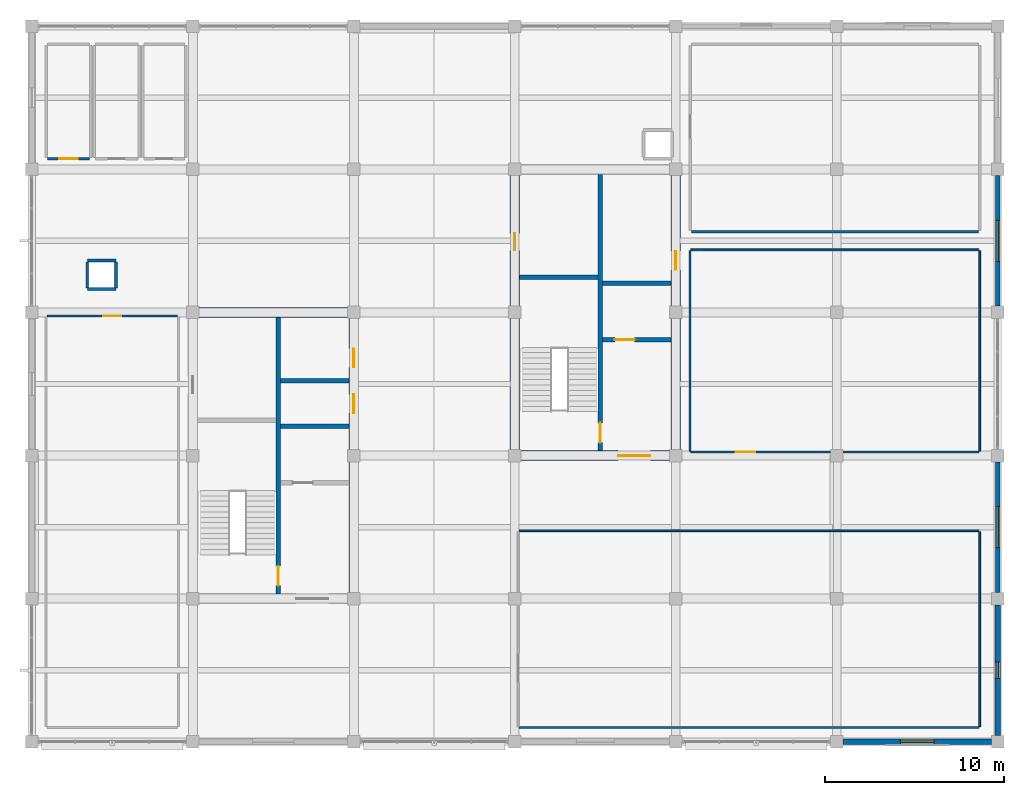
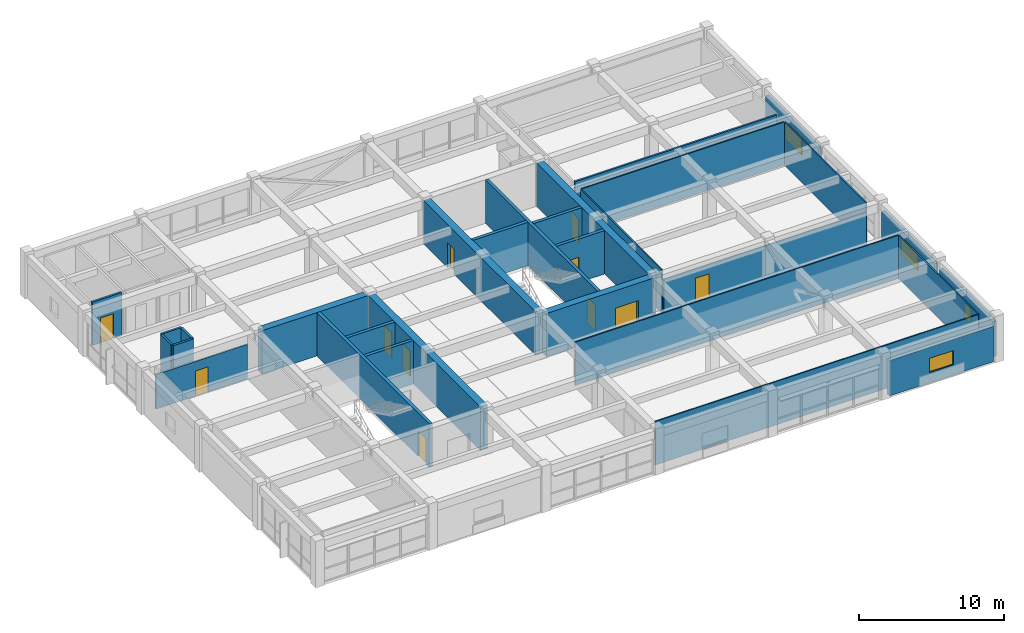
# One storey, part 11 of 13: 30 walls, 11 doors, 4 windows, 15 openings.
"""IFC4 building model written with IfcOpenShell, lengths in metres."""

from ifc_helpers import new_model, si_unit, direction, frame, frame_2d, origin, place, context, subcontext, project, spatial, rectangle, extrude, material, layer, layer_set, type_object, element, fill, save


model = new_model("IFC4")

# Units and contexts
model_context = context("Model", 3, precision=1e-05, world=origin(), true_north=direction((0.0, 1.0)))
body_context = subcontext(model_context, "Body", "Model", "MODEL_VIEW")
ifc_project = project(units=[si_unit("LENGTHUNIT", "METRE"), si_unit("AREAUNIT", "SQUARE_METRE"), si_unit("VOLUMEUNIT", "CUBIC_METRE"), si_unit("PLANEANGLEUNIT", "RADIAN"), si_unit("MASSUNIT", "GRAM", prefix="KILO")], contexts=[model_context])

# Site, building, storey
site_placement = place(None, origin())
site = spatial("IfcSite", under=ifc_project, at=site_placement, CompositionType="ELEMENT")
building_placement = place(site_placement, origin())
building = spatial("IfcBuilding", under=site, at=building_placement, Name="Zaverband Oceanarium and Marine Research Institute", CompositionType="ELEMENT")
storey_placement = place(building_placement, frame((0.0, 0.0, 60.89990234375)))
storey = spatial("IfcBuildingStorey", under=building, at=storey_placement, Name="L15", CompositionType="ELEMENT", Elevation=60.89990234375)

# Wall
ifc_material_1 = material(Name="Concrete C50/60", Category="concrete")
ifc_layer_1 = layer(ifc_material_1, 0.550048828125, Name="Concrete C50/60")
ifc_layer_set_1 = layer_set([ifc_layer_1], Name="Concrete C50/60")
wall_type_1 = type_object("IfcWallType", Name="CW-01", PredefinedType="SHEAR", material=ifc_layer_set_1)
wall_1_placement = place(storey_placement, frame((18.27490234375, 96.0, 0.0), z_axis=(0.0, 0.0, 1.0), x_axis=(1.0, 0.0, 0.0)))
element("IfcWall", 1, at=wall_1_placement, inside=storey, type_object=wall_type_1, Name="Structural shear wall CW-01", PredefinedType="SHEAR", context=body_context, shape_type="SweptSolid", body=[
    extrude(rectangle(XDim=8.4501953125, YDim=0.550048828125, at=frame_2d((4.22509765625, 0.0))), origin(), (0.0, 0.0, 1.0), 3.650146484375),
])

# Wall, openings, doors
wall_2_placement = place(storey_placement, frame((27.0, 80.27490234375, 0.0), z_axis=(0.0, 0.0, 1.0), x_axis=(0.0, 1.0, 0.0)))
wall_2 = element("IfcWall", 2, at=wall_2_placement, inside=storey, type_object=wall_type_1, Name="Structural shear wall CW-01", PredefinedType="SHEAR", context=body_context, shape_type="SweptSolid", body=[
    extrude(rectangle(XDim=15.4501953125, YDim=0.550048828125, at=frame_2d((7.72509765625, 0.0))), origin(), (0.0, 0.0, 1.0), 3.650146484375),
])
opening_1_placement = place(wall_2_placement, frame((10.10009765625, 0.0, 0.0)))
opening_1 = element("IfcOpeningElement", 3, at=opening_1_placement, cuts=wall_2, Name="Opening LD-02", PredefinedType="OPENING", context=body_context, shape_type="SweptSolid", body=[
    extrude(rectangle(XDim=1.050048828125, YDim=2.1201171875, at=frame_2d((0.52490234375, 1.06005859375))), frame((0.0, 0.287109375, 0.0), z_axis=(0.0, -1.0, 0.0), x_axis=(1.0, 0.0, 0.0)), (0.0, 0.0, 1.0), 0.573974609375),
])
opening_2_placement = place(wall_2_placement, frame((12.64990234375, 0.0, 0.0)))
opening_2 = element("IfcOpeningElement", 4, at=opening_2_placement, cuts=wall_2, Name="Opening LD-02", PredefinedType="OPENING", context=body_context, shape_type="SweptSolid", body=[
    extrude(rectangle(XDim=1.050048828125, YDim=2.1201171875, at=frame_2d((0.52490234375, 1.06005859375))), frame((0.0, 0.287109375, 0.0), z_axis=(0.0, -1.0, 0.0), x_axis=(1.0, 0.0, 0.0)), (0.0, 0.0, 1.0), 0.573974609375),
])
ifc_material_2 = material(Name="Steel S355", Category="steel")
door_type_1 = type_object("IfcDoorType", Name="LD-02", OperationType="DOUBLE_DOOR_SLIDING", PredefinedType="DOOR", material=ifc_material_2)
door_1_placement = place(opening_1_placement, origin())
door_1 = element("IfcDoor", 5, at=door_1_placement, inside=storey, type_object=door_type_1, Name="Passenger lift sliding landing door LD-02", OperationType="DOUBLE_DOOR_SLIDING", OverallHeight=2.1201171875, OverallWidth=1.050048828125, PredefinedType="DOOR", context=body_context, shape_type="SweptSolid", body=[
    extrude(rectangle(XDim=1.050048828125, YDim=2.1201171875, at=frame_2d((0.52490234375, 1.06005859375))), frame((0.0, 0.02490234375, 0.0), z_axis=(0.0, -1.0, 0.0), x_axis=(1.0, 0.0, 0.0)), (0.0, 0.0, 1.0), 0.050048828125),
])
fill(opening_1, door_1)
door_2_placement = place(opening_2_placement, origin())
door_2 = element("IfcDoor", 6, at=door_2_placement, inside=storey, type_object=door_type_1, Name="Passenger lift sliding landing door LD-02", OperationType="DOUBLE_DOOR_SLIDING", OverallHeight=2.1201171875, OverallWidth=1.050048828125, PredefinedType="DOOR", context=body_context, shape_type="SweptSolid", body=[
    extrude(rectangle(XDim=1.050048828125, YDim=2.1201171875, at=frame_2d((0.52490234375, 1.06005859375))), frame((0.0, 0.02490234375, 0.0), z_axis=(0.0, -1.0, 0.0), x_axis=(1.0, 0.0, 0.0)), (0.0, 0.0, 1.0), 0.050048828125),
])
fill(opening_2, door_2)

# Wall, opening, door
wall_3_placement = place(storey_placement, frame((36.27490234375, 88.0, 0.0), z_axis=(0.0, 0.0, 1.0), x_axis=(1.0, 0.0, 0.0)))
wall_3 = element("IfcWall", 7, at=wall_3_placement, inside=storey, type_object=wall_type_1, Name="Structural shear wall CW-01", PredefinedType="SHEAR", context=body_context, shape_type="SweptSolid", body=[
    extrude(rectangle(XDim=8.4501953125, YDim=0.550048828125, at=frame_2d((4.22509765625, 0.0))), origin(), (0.0, 0.0, 1.0), 3.650146484375),
])
opening_3_placement = place(wall_3_placement, frame((5.5, 0.0, 0.0)))
opening_3 = element("IfcOpeningElement", 8, at=opening_3_placement, cuts=wall_3, Name="Opening FD-02", PredefinedType="OPENING", context=body_context, shape_type="SweptSolid", body=[
    extrude(rectangle(XDim=1.800048828125, YDim=2.179931640625, at=frame_2d((0.89990234375, 1.08984375))), frame((0.0, 0.287109375, 0.0), z_axis=(0.0, -1.0, 0.0), x_axis=(1.0, 0.0, 0.0)), (0.0, 0.0, 1.0), 0.573974609375),
])
door_type_2 = type_object("IfcDoorType", Name="FD-02", OperationType="DOUBLE_DOOR_SINGLE_SWING", PredefinedType="DOOR", material=ifc_material_2)
door_3_placement = place(opening_3_placement, origin())
door_3 = element("IfcDoor", 9, at=door_3_placement, inside=storey, type_object=door_type_2, Name="Protected lobby double fire door FD-02", OperationType="DOUBLE_DOOR_SINGLE_SWING", OverallHeight=2.179931640625, OverallWidth=1.800048828125, PredefinedType="DOOR", context=body_context, shape_type="SweptSolid", body=[
    extrude(rectangle(XDim=1.800048828125, YDim=2.179931640625, at=frame_2d((0.89990234375, 1.08984375))), frame((0.0, 0.02490234375, 0.0), z_axis=(0.0, -1.0, 0.0), x_axis=(1.0, 0.0, 0.0)), (0.0, 0.0, 1.0), 0.050048828125),
])
fill(opening_3, door_3)

wall_4_placement = place(storey_placement, frame((36.0, 88.27490234375, 0.0), z_axis=(0.0, 0.0, 1.0), x_axis=(0.0, 1.0, 0.0)))
wall_4 = element("IfcWall", 10, at=wall_4_placement, inside=storey, type_object=wall_type_1, Name="Structural shear wall CW-01", PredefinedType="SHEAR", context=body_context, shape_type="SweptSolid", body=[
    extrude(rectangle(XDim=15.4501953125, YDim=0.550048828125, at=frame_2d((7.72509765625, 0.0))), origin(), (0.0, 0.0, 1.0), 3.650146484375),
])
opening_4_placement = place(wall_4_placement, frame((11.199951171875, 0.0, 0.0)))
opening_4 = element("IfcOpeningElement", 11, at=opening_4_placement, cuts=wall_4, Name="Opening FD-03", PredefinedType="OPENING", context=body_context, shape_type="SweptSolid", body=[
    extrude(rectangle(XDim=0.949951171875, YDim=2.10009765625, at=frame_2d((0.47509765625, 1.050048828125))), frame((0.0, 0.287109375, 0.0), z_axis=(0.0, -1.0, 0.0), x_axis=(1.0, 0.0, 0.0)), (0.0, 0.0, 1.0), 0.573974609375),
])
door_type_3 = type_object("IfcDoorType", Name="FD-03", OperationType="NOTDEFINED", PredefinedType="DOOR", material=ifc_material_2)
door_4_placement = place(opening_4_placement, origin())
door_4 = element("IfcDoor", 12, at=door_4_placement, inside=storey, type_object=door_type_3, Name="Service riser access fire door FD-03", OperationType="SINGLE_SWING_RIGHT", OverallHeight=2.10009765625, OverallWidth=0.949951171875, PredefinedType="DOOR", context=body_context, shape_type="SweptSolid", body=[
    extrude(rectangle(XDim=0.949951171875, YDim=2.10009765625, at=frame_2d((0.47509765625, 1.050048828125))), frame((0.0, 0.02490234375, 0.0), z_axis=(0.0, -1.0, 0.0), x_axis=(1.0, 0.0, 0.0)), (0.0, 0.0, 1.0), 0.050048828125),
])
fill(opening_4, door_4)

wall_5_placement = place(storey_placement, frame((45.0, 88.27490234375, 0.0), z_axis=(0.0, 0.0, 1.0), x_axis=(0.0, 1.0, 0.0)))
wall_5 = element("IfcWall", 13, at=wall_5_placement, inside=storey, type_object=wall_type_1, Name="Structural shear wall CW-01", PredefinedType="SHEAR", context=body_context, shape_type="SweptSolid", body=[
    extrude(rectangle(XDim=15.4501953125, YDim=0.550048828125, at=frame_2d((7.72509765625, 0.0))), origin(), (0.0, 0.0, 1.0), 3.650146484375),
])
opening_5_placement = place(wall_5_placement, frame((10.10009765625, 0.0, 0.0)))
opening_5 = element("IfcOpeningElement", 14, at=opening_5_placement, cuts=wall_5, Name="Opening LD-02", PredefinedType="OPENING", context=body_context, shape_type="SweptSolid", body=[
    extrude(rectangle(XDim=1.050048828125, YDim=2.1201171875, at=frame_2d((0.52490234375, 1.06005859375))), frame((0.0, 0.287109375, 0.0), z_axis=(0.0, -1.0, 0.0), x_axis=(1.0, 0.0, 0.0)), (0.0, 0.0, 1.0), 0.573974609375),
])
door_5_placement = place(opening_5_placement, origin())
door_5 = element("IfcDoor", 15, at=door_5_placement, inside=storey, type_object=door_type_1, Name="Passenger lift sliding landing door LD-02", OperationType="DOUBLE_DOOR_SLIDING", OverallHeight=2.1201171875, OverallWidth=1.050048828125, PredefinedType="DOOR", context=body_context, shape_type="SweptSolid", body=[
    extrude(rectangle(XDim=1.050048828125, YDim=2.1201171875, at=frame_2d((0.52490234375, 1.06005859375))), frame((0.0, 0.02490234375, 0.0), z_axis=(0.0, -1.0, 0.0), x_axis=(1.0, 0.0, 0.0)), (0.0, 0.0, 1.0), 0.050048828125),
])
fill(opening_5, door_5)

# Wall, opening, window
ifc_material_3 = material(Name="Concrete C40/50 precast", Category="concrete")
ifc_layer_2 = layer(ifc_material_3, 0.264892578125, Name="Concrete C40/50 precast")
ifc_layer_set_2 = layer_set([ifc_layer_2], Name="Concrete C40/50 precast")
wall_type_2 = type_object("IfcWallType", Name="EW-265", PredefinedType="STANDARD", material=ifc_layer_set_2)
wall_6_placement = place(storey_placement, frame((63.0, 80.35498046875, 0.0), z_axis=(0.0, 0.0, 1.0), x_axis=(0.0, 1.0, 0.0)))
wall_6 = element("IfcWall", 16, at=wall_6_placement, inside=storey, type_object=wall_type_2, Name="Exterior infill wall EW-265", PredefinedType="STANDARD", context=body_context, shape_type="SweptSolid", body=[
    extrude(rectangle(XDim=7.2900390625, YDim=0.264892578125, at=frame_2d((3.64501953125, 0.0))), origin(), (0.0, 0.0, 1.0), 2.97998046875),
])
opening_6_placement = place(wall_6_placement, frame((2.4951171875, 0.0, 0.85009765625)))
opening_6 = element("IfcOpeningElement", 17, at=opening_6_placement, cuts=wall_6, Name="Opening WN-2300x1350", PredefinedType="OPENING", context=body_context, shape_type="SweptSolid", body=[
    extrude(rectangle(XDim=2.300048828125, YDim=1.35009765625, at=frame_2d((1.14990234375, 0.675048828125))), frame((0.0, 0.14453125, 0.0), z_axis=(0.0, -1.0, 0.0), x_axis=(1.0, 0.0, 0.0)), (0.0, 0.0, 1.0), 0.288818359375),
])
ifc_material_4 = material(Name="Thermally broken anodized aluminium and solar-control glass", Category="aluminium")
window_type_1 = type_object("IfcWindowType", Name="WN-2300x1350", PartitioningType="SINGLE_PANEL", PredefinedType="WINDOW", material=ifc_material_4)
window_1_placement = place(opening_6_placement, origin())
window_1 = element("IfcWindow", 18, at=window_1_placement, inside=storey, type_object=window_type_1, Name="Fixed / casement exterior window WN-2300x1350", OverallHeight=1.35009765625, OverallWidth=2.300048828125, PartitioningType="SINGLE_PANEL", PredefinedType="WINDOW", context=body_context, shape_type="SweptSolid", body=[
    extrude(rectangle(XDim=2.300048828125, YDim=1.35009765625, at=frame_2d((1.14990234375, 0.675048828125))), frame((0.0, 0.030029296875, 0.0), z_axis=(0.0, -1.0, 0.0), x_axis=(1.0, 0.0, 0.0)), (0.0, 0.0, 1.0), 0.06005859375),
])
fill(opening_6, window_1)

wall_7_placement = place(storey_placement, frame((63.0, 96.35498046875, 0.0), z_axis=(0.0, 0.0, 1.0), x_axis=(0.0, 1.0, 0.0)))
wall_7 = element("IfcWall", 19, at=wall_7_placement, inside=storey, type_object=wall_type_2, Name="Exterior infill wall EW-265", PredefinedType="STANDARD", context=body_context, shape_type="SweptSolid", body=[
    extrude(rectangle(XDim=7.2900390625, YDim=0.264892578125, at=frame_2d((3.64501953125, 0.0))), origin(), (0.0, 0.0, 1.0), 2.97998046875),
])
opening_7_placement = place(wall_7_placement, frame((2.4951171875, 0.0, 0.85009765625)))
opening_7 = element("IfcOpeningElement", 20, at=opening_7_placement, cuts=wall_7, Name="Opening WN-2300x1350", PredefinedType="OPENING", context=body_context, shape_type="SweptSolid", body=[
    extrude(rectangle(XDim=2.300048828125, YDim=1.35009765625, at=frame_2d((1.14990234375, 0.675048828125))), frame((0.0, 0.14453125, 0.0), z_axis=(0.0, -1.0, 0.0), x_axis=(1.0, 0.0, 0.0)), (0.0, 0.0, 1.0), 0.288818359375),
])
window_2_placement = place(opening_7_placement, origin())
window_2 = element("IfcWindow", 21, at=window_2_placement, inside=storey, type_object=window_type_1, Name="Fixed / casement exterior window WN-2300x1350", OverallHeight=1.35009765625, OverallWidth=2.300048828125, PartitioningType="SINGLE_PANEL", PredefinedType="WINDOW", context=body_context, shape_type="SweptSolid", body=[
    extrude(rectangle(XDim=2.300048828125, YDim=1.35009765625, at=frame_2d((1.14990234375, 0.675048828125))), frame((0.0, 0.030029296875, 0.0), z_axis=(0.0, -1.0, 0.0), x_axis=(1.0, 0.0, 0.0)), (0.0, 0.0, 1.0), 0.06005859375),
])
fill(opening_7, window_2)

ifc_layer_3 = layer(ifc_material_3, 0.2900390625, Name="Concrete C40/50 precast")
ifc_layer_set_3 = layer_set([ifc_layer_3], Name="Concrete C40/50 precast")
wall_type_3 = type_object("IfcWallType", Name="EW-290", PredefinedType="STANDARD", material=ifc_layer_set_3)
wall_8_placement = place(storey_placement, frame((54.35498046875, 72.0, 0.0), z_axis=(0.0, 0.0, 1.0), x_axis=(1.0, 0.0, 0.0)))
wall_8 = element("IfcWall", 22, at=wall_8_placement, inside=storey, type_object=wall_type_3, Name="Exterior infill wall EW-290", PredefinedType="STANDARD", context=body_context, shape_type="SweptSolid", body=[
    extrude(rectangle(XDim=8.2900390625, YDim=0.2900390625, at=frame_2d((4.14501953125, 0.0))), origin(), (0.0, 0.0, 1.0), 2.97998046875),
])
opening_8_placement = place(wall_8_placement, frame((3.195068359375, 0.0, 0.85009765625)))
opening_8 = element("IfcOpeningElement", 23, at=opening_8_placement, cuts=wall_8, Name="Opening WN-1900x1200", PredefinedType="OPENING", context=body_context, shape_type="SweptSolid", body=[
    extrude(rectangle(XDim=1.89990234375, YDim=1.199951171875, at=frame_2d((0.949951171875, 0.60009765625))), frame((0.0, 0.156982421875, 0.0), z_axis=(0.0, -1.0, 0.0), x_axis=(1.0, 0.0, 0.0)), (0.0, 0.0, 1.0), 0.31396484375),
])
window_type_2 = type_object("IfcWindowType", Name="WN-1900x1200", PartitioningType="SINGLE_PANEL", PredefinedType="WINDOW", material=ifc_material_4)
window_3_placement = place(opening_8_placement, origin())
window_3 = element("IfcWindow", 24, at=window_3_placement, inside=storey, type_object=window_type_2, Name="Fixed / casement exterior window WN-1900x1200", OverallHeight=1.199951171875, OverallWidth=1.89990234375, PartitioningType="SINGLE_PANEL", PredefinedType="WINDOW", context=body_context, shape_type="SweptSolid", body=[
    extrude(rectangle(XDim=1.89990234375, YDim=1.199951171875, at=frame_2d((0.949951171875, 0.60009765625))), frame((0.0, 0.030029296875, 0.0), z_axis=(0.0, -1.0, 0.0), x_axis=(1.0, 0.0, 0.0)), (0.0, 0.0, 1.0), 0.06005859375),
])
fill(opening_8, window_3)

wall_9_placement = place(storey_placement, frame((63.0, 72.35498046875, 0.0), z_axis=(0.0, 0.0, 1.0), x_axis=(0.0, 1.0, 0.0)))
wall_9 = element("IfcWall", 25, at=wall_9_placement, inside=storey, type_object=wall_type_3, Name="Exterior infill wall EW-290", PredefinedType="STANDARD", context=body_context, shape_type="SweptSolid", body=[
    extrude(rectangle(XDim=7.2900390625, YDim=0.2900390625, at=frame_2d((3.64501953125, 0.0))), origin(), (0.0, 0.0, 1.0), 2.97998046875),
])
opening_9_placement = place(wall_9_placement, frame((3.195068359375, 0.0, 0.85009765625)))
opening_9 = element("IfcOpeningElement", 26, at=opening_9_placement, cuts=wall_9, Name="Opening WN-900x1200", PredefinedType="OPENING", context=body_context, shape_type="SweptSolid", body=[
    extrude(rectangle(XDim=0.89990234375, YDim=1.199951171875, at=frame_2d((0.449951171875, 0.60009765625))), frame((0.0, 0.156982421875, 0.0), z_axis=(0.0, -1.0, 0.0), x_axis=(1.0, 0.0, 0.0)), (0.0, 0.0, 1.0), 0.31396484375),
])
window_type_3 = type_object("IfcWindowType", Name="WN-900x1200", PartitioningType="SINGLE_PANEL", PredefinedType="WINDOW", material=ifc_material_4)
window_4_placement = place(opening_9_placement, origin())
window_4 = element("IfcWindow", 27, at=window_4_placement, inside=storey, type_object=window_type_3, Name="Fixed / casement exterior window WN-900x1200", OverallHeight=1.199951171875, OverallWidth=0.89990234375, PartitioningType="SINGLE_PANEL", PredefinedType="WINDOW", context=body_context, shape_type="SweptSolid", body=[
    extrude(rectangle(XDim=0.89990234375, YDim=1.199951171875, at=frame_2d((0.449951171875, 0.60009765625))), frame((0.0, 0.030029296875, 0.0), z_axis=(0.0, -1.0, 0.0), x_axis=(1.0, 0.0, 0.0)), (0.0, 0.0, 1.0), 0.06005859375),
])
fill(opening_9, window_4)

# Walls
ifc_material_5 = material(Name="Framed fire-rated glass laboratory partition", Category="glass")
ifc_layer_4 = layer(ifc_material_5, 0.10009765625, Name="Framed fire-rated glass laboratory partition")
ifc_layer_set_4 = layer_set([ifc_layer_4], Name="Framed fire-rated glass laboratory partition")
wall_type_4 = type_object("IfcWallType", Name="PT-100-GL", PredefinedType="PARTITIONING", material=ifc_layer_set_4)
for number, where, z_axis, x_axis, name in (
    (28, (36.25, 72.800048828125, 0.0), (0.0, 0.0, 1.0), (1.0, 0.0, 0.0), "Internal partition PT-100-GL"),
    (29, (36.25, 83.800048828125, 0.0), (0.0, 0.0, 1.0), (1.0, 0.0, 0.0), "Internal partition PT-100-GL"),
):
    element("IfcWall", number, at=place(storey_placement, frame(where, z_axis=z_axis, x_axis=x_axis)), inside=storey, type_object=wall_type_4, Name=name, PredefinedType="PARTITIONING", context=body_context, shape_type="SweptSolid", body=[
        extrude(rectangle(XDim=25.699951171875, YDim=0.10009765625, at=frame_2d((12.85009765625, 0.0))), origin(), (0.0, 0.0, 1.0), 3.650146484375),
    ])
wall_10_placement = place(storey_placement, frame((62.0, 72.85009765625, 0.0), z_axis=(0.0, 0.0, 1.0), x_axis=(0.0, 1.0, 0.0)))
element("IfcWall", 30, at=wall_10_placement, inside=storey, type_object=wall_type_4, Name="Internal partition PT-100-GL", PredefinedType="PARTITIONING", context=body_context, shape_type="SweptSolid", body=[
    extrude(rectangle(XDim=10.89990234375, YDim=0.10009765625, at=frame_2d((5.449951171875, 0.0))), origin(), (0.0, 0.0, 1.0), 3.650146484375),
])

# Wall, opening, door
wall_11_placement = place(storey_placement, frame((45.85009765625, 88.199951171875, 0.0), z_axis=(0.0, 0.0, 1.0), x_axis=(1.0, 0.0, 0.0)))
wall_11 = element("IfcWall", 31, at=wall_11_placement, inside=storey, type_object=wall_type_4, Name="Internal partition PT-100-GL", PredefinedType="PARTITIONING", context=body_context, shape_type="SweptSolid", body=[
    extrude(rectangle(XDim=16.099853515625, YDim=0.10009765625, at=frame_2d((8.0498046875, 0.0))), origin(), (0.0, 0.0, 1.0), 2.900146484375),
])
opening_10_placement = place(wall_11_placement, frame((2.5, 0.0, 0.0)))
opening_10 = element("IfcOpeningElement", 32, at=opening_10_placement, cuts=wall_11, Name="Opening ID-1100x2120", PredefinedType="OPENING", context=body_context, shape_type="SweptSolid", body=[
    extrude(rectangle(XDim=1.10009765625, YDim=2.1201171875, at=frame_2d((0.550048828125, 1.06005859375))), frame((0.0, 0.06201171875, 0.0), z_axis=(0.0, -1.0, 0.0), x_axis=(1.0, 0.0, 0.0)), (0.0, 0.0, 1.0), 0.1240234375),
])
ifc_material_6 = material(Name="Hardwood-veneered acoustic timber", Category="wood")
door_type_4 = type_object("IfcDoorType", Name="ID-1100x2120", OperationType="NOTDEFINED", PredefinedType="DOOR", material=ifc_material_6)
door_6_placement = place(opening_10_placement, origin())
door_6 = element("IfcDoor", 33, at=door_6_placement, inside=storey, type_object=door_type_4, Name="Telemetry laboratory door ID-1100x2120", OperationType="SINGLE_SWING_RIGHT", OverallHeight=2.1201171875, OverallWidth=1.10009765625, PredefinedType="DOOR", context=body_context, shape_type="SweptSolid", body=[
    extrude(rectangle(XDim=1.10009765625, YDim=2.1201171875, at=frame_2d((0.550048828125, 1.06005859375))), frame((0.0, 0.02490234375, 0.0), z_axis=(0.0, -1.0, 0.0), x_axis=(1.0, 0.0, 0.0)), (0.0, 0.0, 1.0), 0.050048828125),
])
fill(opening_10, door_6)

# Walls
wall_12_placement = place(storey_placement, frame((45.85009765625, 99.5, 0.0), z_axis=(0.0, 0.0, 1.0), x_axis=(1.0, 0.0, 0.0)))
element("IfcWall", 34, at=wall_12_placement, inside=storey, type_object=wall_type_4, Name="Internal partition PT-100-GL", PredefinedType="PARTITIONING", context=body_context, shape_type="SweptSolid", body=[
    extrude(rectangle(XDim=16.099853515625, YDim=0.10009765625, at=frame_2d((8.0498046875, 0.0))), origin(), (0.0, 0.0, 1.0), 3.650146484375),
])
for number, where, z_axis, x_axis, name in (
    (35, (45.800048828125, 88.25, 0.0), (0.0, 0.0, 1.0), (0.0, 1.0, 0.0), "Internal partition PT-100-GL"),
    (36, (62.0, 88.25, 0.0), (0.0, 0.0, 1.0), (0.0, 1.0, 0.0), "Internal partition PT-100-GL"),
):
    element("IfcWall", number, at=place(storey_placement, frame(where, z_axis=z_axis, x_axis=x_axis)), inside=storey, type_object=wall_type_4, Name=name, PredefinedType="PARTITIONING", context=body_context, shape_type="SweptSolid", body=[
        extrude(rectangle(XDim=11.199951171875, YDim=0.10009765625, at=frame_2d((5.60009765625, 0.0))), origin(), (0.0, 0.0, 1.0), 3.650146484375),
    ])

# Wall, opening, door
ifc_material_7 = material(Name="Insulated metal-stud office partition")
ifc_layer_5 = layer(ifc_material_7, 0.1201171875, Name="Insulated metal-stud office partition")
ifc_layer_set_5 = layer_set([ifc_layer_5], Name="Insulated metal-stud office partition")
wall_type_5 = type_object("IfcWallType", Name="PT-120-OF", PredefinedType="PARTITIONING", material=ifc_layer_set_5)
wall_13_placement = place(storey_placement, frame((9.860107421875, 95.800048828125, 0.0), z_axis=(0.0, 0.0, 1.0), x_axis=(1.0, 0.0, 0.0)))
wall_13 = element("IfcWall", 37, at=wall_13_placement, inside=storey, type_object=wall_type_5, Name="Internal partition PT-120-OF", PredefinedType="PARTITIONING", context=body_context, shape_type="SweptSolid", body=[
    extrude(rectangle(XDim=7.27978515625, YDim=0.1201171875, at=frame_2d((3.639892578125, 0.0))), origin(), (0.0, 0.0, 1.0), 2.900146484375),
])
opening_11_placement = place(wall_13_placement, frame((3.1298828125, 0.0, 0.0)))
opening_11 = element("IfcOpeningElement", 38, at=opening_11_placement, cuts=wall_13, Name="Opening ID-1020x2100", PredefinedType="OPENING", context=body_context, shape_type="SweptSolid", body=[
    extrude(rectangle(XDim=1.02001953125, YDim=2.10009765625, at=frame_2d((0.510009765625, 1.050048828125))), frame((0.0, 0.072021484375, 0.0), z_axis=(0.0, -1.0, 0.0), x_axis=(1.0, 0.0, 0.0)), (0.0, 0.0, 1.0), 0.14404296875),
])
door_type_5 = type_object("IfcDoorType", Name="ID-1020x2100", OperationType="NOTDEFINED", PredefinedType="DOOR", material=ifc_material_6)
door_7_placement = place(opening_11_placement, origin())
door_7 = element("IfcDoor", 39, at=door_7_placement, inside=storey, type_object=door_type_5, Name="Accessible WC outward-swing door ID-1020x2100", OperationType="SINGLE_SWING_RIGHT", OverallHeight=2.10009765625, OverallWidth=1.02001953125, PredefinedType="DOOR", context=body_context, shape_type="SweptSolid", body=[
    extrude(rectangle(XDim=1.02001953125, YDim=2.10009765625, at=frame_2d((0.510009765625, 1.050048828125))), frame((0.0, 0.02490234375, 0.0), z_axis=(0.0, -1.0, 0.0), x_axis=(1.0, 0.0, 0.0)), (0.0, 0.0, 1.0), 0.050048828125),
])
fill(opening_11, door_7)

# Wall
ifc_material_8 = material(Name="Acoustic classroom partition")
ifc_layer_6 = layer(ifc_material_8, 0.139892578125, Name="Acoustic classroom partition")
ifc_layer_set_6 = layer_set([ifc_layer_6], Name="Acoustic classroom partition")
wall_type_6 = type_object("IfcWallType", Name="PT-140-CL", PredefinedType="PARTITIONING", material=ifc_layer_set_6)
wall_14_placement = place(storey_placement, frame((45.8701171875, 100.5, 0.0), z_axis=(0.0, 0.0, 1.0), x_axis=(1.0, 0.0, 0.0)))
element("IfcWall", 40, at=wall_14_placement, inside=storey, type_object=wall_type_6, Name="Acoustic partition PT-140-CL", PredefinedType="PARTITIONING", context=body_context, shape_type="SweptSolid", body=[
    extrude(rectangle(XDim=16.059814453125, YDim=0.139892578125, at=frame_2d((8.02978515625, 0.0))), origin(), (0.0, 0.0, 1.0), 3.650146484375),
])

# Wall, opening, door
ifc_material_9 = material(Name="Ceramic-tiled wet-room blockwork", Category="masonry")
ifc_layer_7 = layer(ifc_material_9, 0.14990234375, Name="Ceramic-tiled wet-room blockwork")
ifc_layer_set_7 = layer_set([ifc_layer_7], Name="Ceramic-tiled wet-room blockwork")
wall_type_7 = type_object("IfcWallType", Name="PT-150-WC", PredefinedType="PARTITIONING", material=ifc_layer_set_7)
wall_15_placement = place(storey_placement, frame((9.875, 104.60009765625, 0.0), z_axis=(0.0, 0.0, 1.0), x_axis=(1.0, 0.0, 0.0)))
wall_15 = element("IfcWall", 41, at=wall_15_placement, inside=storey, type_object=wall_type_7, Name="Internal partition PT-150-WC", PredefinedType="PARTITIONING", context=body_context, shape_type="SweptSolid", body=[
    extrude(rectangle(XDim=2.35009765625, YDim=0.14990234375, at=frame_2d((1.175048828125, 0.0))), origin(), (0.0, 0.0, 1.0), 3.650146484375),
])
opening_12_placement = place(wall_15_placement, frame((0.6650390625, 0.0, 0.0)))
opening_12 = element("IfcOpeningElement", 42, at=opening_12_placement, cuts=wall_15, Name="Opening ID-1020x2100", PredefinedType="OPENING", context=body_context, shape_type="SweptSolid", body=[
    extrude(rectangle(XDim=1.02001953125, YDim=2.10009765625, at=frame_2d((0.510009765625, 1.050048828125))), frame((0.0, 0.0869140625, 0.0), z_axis=(0.0, -1.0, 0.0), x_axis=(1.0, 0.0, 0.0)), (0.0, 0.0, 1.0), 0.173828125),
])
door_8_placement = place(opening_12_placement, frame((1.02001953125, 0.0, 0.0), z_axis=(0.0, 0.0, 1.0), x_axis=(-1.0, 0.0, 0.0)))
door_8 = element("IfcDoor", 43, at=door_8_placement, inside=storey, type_object=door_type_5, Name="Accessible WC outward-swing door ID-1020x2100", OperationType="SINGLE_SWING_LEFT", OverallHeight=2.10009765625, OverallWidth=1.02001953125, PredefinedType="DOOR", context=body_context, shape_type="SweptSolid", body=[
    extrude(rectangle(XDim=1.02001953125, YDim=2.10009765625, at=frame_2d((0.510009765625, 1.050048828125))), frame((0.0, 0.02490234375, 0.0), z_axis=(0.0, -1.0, 0.0), x_axis=(1.0, 0.0, 0.0)), (0.0, 0.0, 1.0), 0.050048828125),
])
fill(opening_12, door_8)

# Walls
ifc_material_10 = material(Name="Corridor rated drywall partition")
ifc_layer_8 = layer(ifc_material_10, 0.1650390625, Name="Corridor rated drywall partition")
ifc_layer_set_8 = layer_set([ifc_layer_8], Name="Corridor rated drywall partition")
wall_type_8 = type_object("IfcWallType", Name="PT-165-CR", PredefinedType="PARTITIONING", material=ifc_layer_set_8)
for number, where, z_axis, x_axis, name in (
    (44, (12.10009765625, 97.300048828125, 0.0), (0.0, 0.0, 1.0), (1.0, 0.0, 0.0), "Internal partition PT-165-CR"),
    (45, (12.10009765625, 98.89990234375, 0.0), (0.0, 0.0, 1.0), (1.0, 0.0, 0.0), "Internal partition PT-165-CR"),
):
    element("IfcWall", number, at=place(storey_placement, frame(where, z_axis=z_axis, x_axis=x_axis)), inside=storey, type_object=wall_type_8, Name=name, PredefinedType="PARTITIONING", context=body_context, shape_type="SweptSolid", body=[
        extrude(rectangle(XDim=1.599853515625, YDim=0.1650390625, at=frame_2d((0.7998046875, 0.0))), origin(), (0.0, 0.0, 1.0), 3.650146484375),
    ])
for number, where, z_axis, x_axis, name in (
    (46, (12.10009765625, 97.3798828125, 0.0), (0.0, 0.0, 1.0), (0.0, 1.0, 0.0), "Internal partition PT-165-CR"),
    (47, (13.699951171875, 97.3798828125, 0.0), (0.0, 0.0, 1.0), (0.0, 1.0, 0.0), "Internal partition PT-165-CR"),
):
    element("IfcWall", number, at=place(storey_placement, frame(where, z_axis=z_axis, x_axis=x_axis)), inside=storey, type_object=wall_type_8, Name=name, PredefinedType="PARTITIONING", context=body_context, shape_type="SweptSolid", body=[
        extrude(rectangle(XDim=1.440185546875, YDim=0.1650390625, at=frame_2d((0.72021484375, 0.0))), origin(), (0.0, 0.0, 1.0), 3.650146484375),
    ])

# Wall, opening, door
ifc_layer_9 = layer(ifc_material_1, 0.25, Name="Concrete C50/60")
ifc_layer_set_9 = layer_set([ifc_layer_9], Name="Concrete C50/60")
wall_type_9 = type_object("IfcWallType", Name="PW-CORE-250", PredefinedType="SOLIDWALL", material=ifc_layer_set_9)
wall_16_placement = place(storey_placement, frame((22.77490234375, 80.27490234375, 0.0), z_axis=(0.0, 0.0, 1.0), x_axis=(0.0, 1.0, 0.0)))
wall_16 = element("IfcWall", 48, at=wall_16_placement, inside=storey, type_object=wall_type_9, Name="Structural concrete wall PW-CORE-250", PredefinedType="SOLIDWALL", context=body_context, shape_type="SweptSolid", body=[
    extrude(rectangle(XDim=15.4501953125, YDim=0.25, at=frame_2d((7.72509765625, 0.0))), origin(), (0.0, 0.0, 1.0), 3.650146484375),
])
opening_13_placement = place(wall_16_placement, frame((0.449951171875, 0.0, 0.0)))
opening_13 = element("IfcOpeningElement", 49, at=opening_13_placement, cuts=wall_16, Name="Opening FD-01", PredefinedType="OPENING", context=body_context, shape_type="SweptSolid", body=[
    extrude(rectangle(XDim=1.10009765625, YDim=2.14990234375, at=frame_2d((0.550048828125, 1.074951171875))), frame((0.0, 0.136962890625, 0.0), z_axis=(0.0, -1.0, 0.0), x_axis=(1.0, 0.0, 0.0)), (0.0, 0.0, 1.0), 0.27392578125),
])
door_type_6 = type_object("IfcDoorType", Name="FD-01", OperationType="NOTDEFINED", PredefinedType="DOOR", material=ifc_material_2)
door_9_placement = place(opening_13_placement, origin())
door_9 = element("IfcDoor", 50, at=door_9_placement, inside=storey, type_object=door_type_6, Name="Core stair / lobby fire door FD-01", OperationType="SINGLE_SWING_RIGHT", OverallHeight=2.14990234375, OverallWidth=1.10009765625, PredefinedType="DOOR", context=body_context, shape_type="SweptSolid", body=[
    extrude(rectangle(XDim=1.10009765625, YDim=2.14990234375, at=frame_2d((0.550048828125, 1.074951171875))), frame((0.0, 0.02490234375, 0.0), z_axis=(0.0, -1.0, 0.0), x_axis=(1.0, 0.0, 0.0)), (0.0, 0.0, 1.0), 0.050048828125),
])
fill(opening_13, door_9)

# Walls
for number, where, z_axis, x_axis, name in (
    (51, (22.905029296875, 89.6298828125, 0.0), (0.0, 0.0, 1.0), (1.0, 0.0, 0.0), "Structural concrete wall PW-CORE-250"),
    (52, (22.905029296875, 92.179931640625, 0.0), (0.0, 0.0, 1.0), (1.0, 0.0, 0.0), "Structural concrete wall PW-CORE-250"),
):
    element("IfcWall", number, at=place(storey_placement, frame(where, z_axis=z_axis, x_axis=x_axis)), inside=storey, type_object=wall_type_9, Name=name, PredefinedType="SOLIDWALL", context=body_context, shape_type="SweptSolid", body=[
        extrude(rectangle(XDim=3.820068359375, YDim=0.25, at=frame_2d((1.91015625, 0.0))), origin(), (0.0, 0.0, 1.0), 3.650146484375),
    ])

# Wall, opening, door
wall_17_placement = place(storey_placement, frame((40.77490234375, 88.27490234375, 0.0), z_axis=(0.0, 0.0, 1.0), x_axis=(0.0, 1.0, 0.0)))
wall_17 = element("IfcWall", 53, at=wall_17_placement, inside=storey, type_object=wall_type_9, Name="Structural concrete wall PW-CORE-250", PredefinedType="SOLIDWALL", context=body_context, shape_type="SweptSolid", body=[
    extrude(rectangle(XDim=15.4501953125, YDim=0.25, at=frame_2d((7.72509765625, 0.0))), origin(), (0.0, 0.0, 1.0), 3.650146484375),
])
opening_14_placement = place(wall_17_placement, frame((0.449951171875, 0.0, 0.0)))
opening_14 = element("IfcOpeningElement", 54, at=opening_14_placement, cuts=wall_17, Name="Opening FD-01", PredefinedType="OPENING", context=body_context, shape_type="SweptSolid", body=[
    extrude(rectangle(XDim=1.10009765625, YDim=2.14990234375, at=frame_2d((0.550048828125, 1.074951171875))), frame((0.0, 0.136962890625, 0.0), z_axis=(0.0, -1.0, 0.0), x_axis=(1.0, 0.0, 0.0)), (0.0, 0.0, 1.0), 0.27392578125),
])
door_10_placement = place(opening_14_placement, origin())
door_10 = element("IfcDoor", 55, at=door_10_placement, inside=storey, type_object=door_type_6, Name="Core stair / lobby fire door FD-01", OperationType="SINGLE_SWING_RIGHT", OverallHeight=2.14990234375, OverallWidth=1.10009765625, PredefinedType="DOOR", context=body_context, shape_type="SweptSolid", body=[
    extrude(rectangle(XDim=1.10009765625, YDim=2.14990234375, at=frame_2d((0.550048828125, 1.074951171875))), frame((0.0, 0.02490234375, 0.0), z_axis=(0.0, -1.0, 0.0), x_axis=(1.0, 0.0, 0.0)), (0.0, 0.0, 1.0), 0.050048828125),
])
fill(opening_14, door_10)

# Wall
wall_18_placement = place(storey_placement, frame((36.27490234375, 97.97509765625, 0.0), z_axis=(0.0, 0.0, 1.0), x_axis=(1.0, 0.0, 0.0)))
element("IfcWall", 56, at=wall_18_placement, inside=storey, type_object=wall_type_9, Name="Structural concrete wall PW-CORE-250", PredefinedType="SOLIDWALL", context=body_context, shape_type="SweptSolid", body=[
    extrude(rectangle(XDim=4.3701171875, YDim=0.25, at=frame_2d((2.18505859375, 0.0))), origin(), (0.0, 0.0, 1.0), 3.650146484375),
])

# Wall, opening, door
wall_19_placement = place(storey_placement, frame((40.905029296875, 94.47509765625, 0.0), z_axis=(0.0, 0.0, 1.0), x_axis=(1.0, 0.0, 0.0)))
wall_19 = element("IfcWall", 57, at=wall_19_placement, inside=storey, type_object=wall_type_9, Name="Structural concrete wall PW-CORE-250", PredefinedType="SOLIDWALL", context=body_context, shape_type="SweptSolid", body=[
    extrude(rectangle(XDim=3.820068359375, YDim=0.25, at=frame_2d((1.91015625, 0.0))), origin(), (0.0, 0.0, 1.0), 3.650146484375),
])
opening_15_placement = place(wall_19_placement, frame((0.695068359375, 0.0, 0.0)))
opening_15 = element("IfcOpeningElement", 58, at=opening_15_placement, cuts=wall_19, Name="Opening LD-01", PredefinedType="OPENING", context=body_context, shape_type="SweptSolid", body=[
    extrude(rectangle(XDim=1.10009765625, YDim=2.1201171875, at=frame_2d((0.550048828125, 1.06005859375))), frame((0.0, 0.136962890625, 0.0), z_axis=(0.0, -1.0, 0.0), x_axis=(1.0, 0.0, 0.0)), (0.0, 0.0, 1.0), 0.27392578125),
])
door_type_7 = type_object("IfcDoorType", Name="LD-01", OperationType="DOUBLE_DOOR_SLIDING", PredefinedType="DOOR", material=ifc_material_2)
door_11_placement = place(opening_15_placement, origin())
door_11 = element("IfcDoor", 59, at=door_11_placement, inside=storey, type_object=door_type_7, Name="Firefighting lift sliding landing door LD-01", OperationType="DOUBLE_DOOR_SLIDING", OverallHeight=2.1201171875, OverallWidth=1.10009765625, PredefinedType="DOOR", context=body_context, shape_type="SweptSolid", body=[
    extrude(rectangle(XDim=1.10009765625, YDim=2.1201171875, at=frame_2d((0.550048828125, 1.06005859375))), frame((0.0, 0.02490234375, 0.0), z_axis=(0.0, -1.0, 0.0), x_axis=(1.0, 0.0, 0.0)), (0.0, 0.0, 1.0), 0.050048828125),
])
fill(opening_15, door_11)

# Wall
wall_20_placement = place(storey_placement, frame((40.905029296875, 97.6298828125, 0.0), z_axis=(0.0, 0.0, 1.0), x_axis=(1.0, 0.0, 0.0)))
element("IfcWall", 60, at=wall_20_placement, inside=storey, type_object=wall_type_9, Name="Structural concrete wall PW-CORE-250", PredefinedType="SOLIDWALL", context=body_context, shape_type="SweptSolid", body=[
    extrude(rectangle(XDim=3.820068359375, YDim=0.25, at=frame_2d((1.91015625, 0.0))), origin(), (0.0, 0.0, 1.0), 3.650146484375),
])

save(model, "model.ifc")
